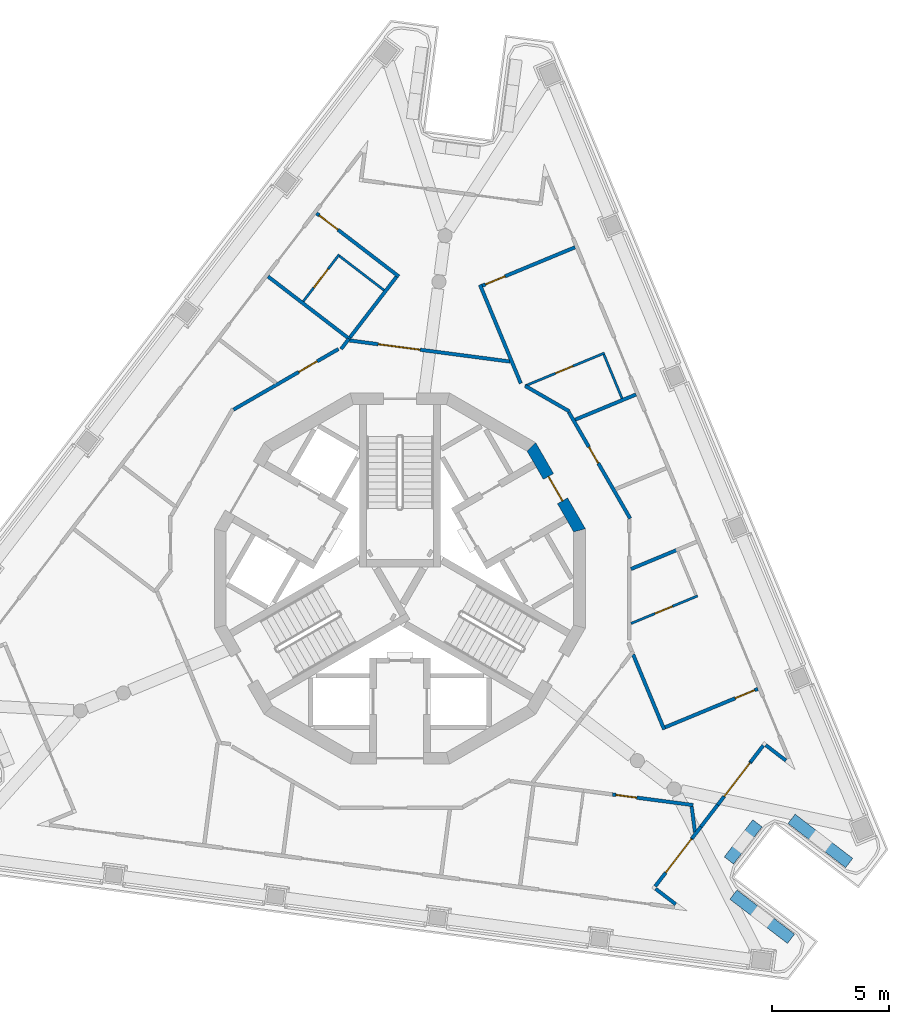
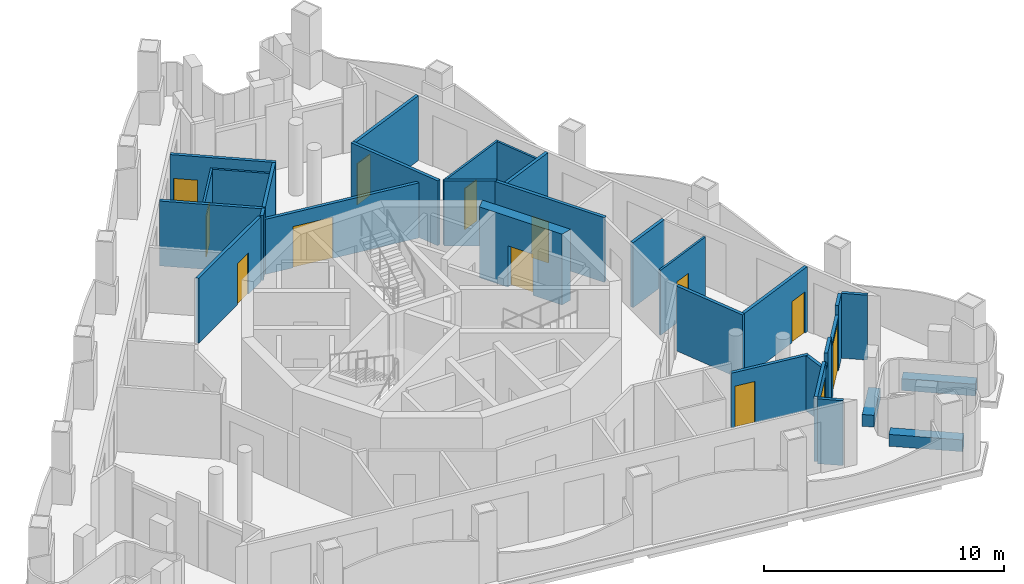
# One storey, part 5 of 12: 32 walls, 13 doors, 13 openings.
"""IFC4 building model written with IfcOpenShell, lengths in metres."""

import ifcopenshell
import ifcopenshell.guid

model = None  # the IFC model being written
_history = None  # IfcOwnerHistory: only IFC2X3 demands one
_inside = {}  # id of a spatial element -> (the spatial element, [elements in it])
_under = {}  # id of a project, library or spatial element -> (it, [spatial elements below it])
_declared = {}  # id of a project -> (the project, [libraries it declares])
_typed = {}  # id of a type object -> (the type object, [elements of that type])
_made_of = {}  # id of a material, layer set ... -> (it, [elements and type objects made of it])


def new_model(schema):
    """Start an empty IFC model of exactly this schema.

    Asked for "IFC4X3", IfcOpenShell would pick the latest addendum, in which some entities
    have other attributes; the version numbers below select the first issue.
    IFC2X3 requires an IfcOwnerHistory on every rooted entity: one is made here for all.
    """
    global model, _history
    if schema == "IFC4X3":
        model = ifcopenshell.file(schema_version=(4, 3, 0, 0))
    else:
        model = ifcopenshell.file(schema=schema)
    _inside.clear()
    _under.clear()
    _declared.clear()
    _typed.clear()
    _made_of.clear()
    _history = None
    if model.schema == "IFC2X3":
        org = make("IfcOrganization", Name="unknown")
        user = make(
            "IfcPersonAndOrganization",
            ThePerson=make("IfcPerson", FamilyName="unknown"),
            TheOrganization=org,
        )
        app = make(
            "IfcApplication",
            ApplicationDeveloper=org,
            Version="unknown",
            ApplicationFullName="unknown",
            ApplicationIdentifier="unknown",
        )
        _history = make(
            "IfcOwnerHistory",
            OwningUser=user,
            OwningApplication=app,
            ChangeAction="ADDED",
            CreationDate=0,
        )
    return model


def make(cls, **values):
    """One entity of the class cls with the attributes given. An attribute that is None is left unset."""
    return model.create_entity(
        cls, **{name: value for name, value in values.items() if value is not None}
    )


def rooted(cls, **values):
    """An entity with a GlobalId (a new one), such as an element, a storey or a relation."""
    return make(cls, GlobalId=ifcopenshell.guid.new(), OwnerHistory=_history, **values)


def si_unit(unit_type, name, prefix=None):
    """IfcSIUnit, for example si_unit("LENGTHUNIT", "METRE", prefix="MILLI")."""
    return make("IfcSIUnit", UnitType=unit_type, Prefix=prefix, Name=name)


def assignment(units):
    """IfcUnitAssignment: the units of a project."""
    return None if units is None else make("IfcUnitAssignment", Units=units)


def point(xyz):
    """IfcCartesianPoint."""
    return None if xyz is None else make("IfcCartesianPoint", Coordinates=xyz)


def direction(xyz):
    """IfcDirection."""
    return None if xyz is None else make("IfcDirection", DirectionRatios=xyz)


def frame(location, z_axis=None, x_axis=None):
    """IfcAxis2Placement3D, a coordinate frame: its origin and axes. An axis left out is left unset."""
    return make(
        "IfcAxis2Placement3D",
        Location=point(location),
        Axis=direction(z_axis),
        RefDirection=direction(x_axis),
    )


def frame_2d(location, x_axis=None):
    """IfcAxis2Placement2D, a coordinate frame in the plane: its origin and x axis."""
    return make(
        "IfcAxis2Placement2D", Location=point(location), RefDirection=direction(x_axis)
    )


def origin():
    """The frame at (0, 0, 0) with its axes left unset."""
    return frame((0.0, 0.0, 0.0))


def place(relative_to, where):
    """IfcLocalPlacement: puts the frame where relative to a parent placement (None: the world)."""
    return make(
        "IfcLocalPlacement", PlacementRelTo=relative_to, RelativePlacement=where
    )


def context(
    kind, dimensions, precision=None, world=None, true_north=None, identifier=None
):
    """IfcGeometricRepresentationContext, for example the 3D "Model" context."""
    return make(
        "IfcGeometricRepresentationContext",
        ContextIdentifier=identifier,
        ContextType=kind,
        CoordinateSpaceDimension=dimensions,
        Precision=precision,
        WorldCoordinateSystem=world,
        TrueNorth=true_north,
    )


def subcontext(parent, identifier, kind, view, scale=None):
    """IfcGeometricRepresentationSubContext, for example "Body" below "Model"."""
    return make(
        "IfcGeometricRepresentationSubContext",
        ContextIdentifier=identifier,
        ContextType=kind,
        ParentContext=parent,
        TargetScale=scale,
        TargetView=view,
    )


def project(units=None, contexts=None):
    """IfcProject with its units and contexts."""
    return rooted(
        "IfcProject",
        Name="project",
        RepresentationContexts=contexts,
        UnitsInContext=assignment(units),
    )


def spatial(cls, under=None, at=None, **own):
    """A site, building, storey or space (cls), placed at a placement, below another one or the project."""
    s = rooted(cls, ObjectPlacement=at, **own)
    if under is not None:
        _under.setdefault(under.id(), (under, []))[1].append(s)
    return s


def polyline(points):
    """IfcPolyline through the points."""
    return make("IfcPolyline", Points=[point(p) for p in points])


def profile(cls, at=None, kind="AREA", **sizes):
    """A parametric profile (cls). Its sizes go by their IFC names, for example OverallWidth=200.0."""
    return make(cls, ProfileType=kind, Position=at, **sizes)


def rectangle(**sizes):
    """IfcRectangleProfileDef."""
    return profile("IfcRectangleProfileDef", **sizes)


def outline(outer, holes=None, kind="AREA"):
    """IfcArbitraryClosedProfileDef: a profile drawn as a closed curve; with holes, ...WithVoids."""
    if holes is None:
        return make("IfcArbitraryClosedProfileDef", ProfileType=kind, OuterCurve=outer)
    return make(
        "IfcArbitraryProfileDefWithVoids",
        ProfileType=kind,
        OuterCurve=outer,
        InnerCurves=holes,
    )


def extrude(swept, where, along, depth):
    """IfcExtrudedAreaSolid: the profile swept, set in the frame where, extruded along a direction by depth."""
    return make(
        "IfcExtrudedAreaSolid",
        SweptArea=swept,
        Position=where,
        ExtrudedDirection=direction(along),
        Depth=depth,
    )


def shape(context_of_items, identifier, shape_type, items):
    """IfcShapeRepresentation: the items that make up one representation, for example the "Body"."""
    return make(
        "IfcShapeRepresentation",
        ContextOfItems=context_of_items,
        RepresentationIdentifier=identifier,
        RepresentationType=shape_type,
        Items=items,
    )


def material(Name=None, Category=None):
    """IfcMaterial."""
    return make("IfcMaterial", Name=Name, Category=Category)


def layer(
    of_material, thickness, ventilated=None, Name=None, Category=None, Priority=None
):
    """IfcMaterialLayer: one layer of a wall or slab, of a material (None: an air gap)."""
    return make(
        "IfcMaterialLayer",
        Material=of_material,
        LayerThickness=thickness,
        IsVentilated=ventilated,
        Name=Name,
        Category=Category,
        Priority=Priority,
    )


def layer_set(layers, Name=None):
    """IfcMaterialLayerSet."""
    return make("IfcMaterialLayerSet", MaterialLayers=layers, LayerSetName=Name)


def made_of(thing, what):
    """Note that an element or type object is made of a material, layer set ...; save() writes the relation."""
    if what is not None:
        _made_of.setdefault(what.id(), (what, []))[1].append(thing)
    return thing


def type_object(cls, material=None, **own):
    """A type object (cls), such as IfcWallType, which elements share."""
    return made_of(rooted(cls, **own), material)


def element(
    cls,
    number,
    at=None,
    inside=None,
    cuts=None,
    type_object=None,
    material=None,
    context=None,
    identifier="Body",
    shape_type=None,
    held_by="IfcProductDefinitionShape",
    body=None,
    shapes=None,
    **own,
):
    """One element of the class cls, such as IfcWall. Its Tag is "e" and its number.

    at: its placement. inside: the storey or other place that contains it. cuts: it is an
    opening in that element (IfcRelVoidsElement). A single representation is given by context,
    identifier, shape_type and body (its items); several are given by shapes. held_by: the class
    of the entity that holds the representations. save() writes the other relations.
    """
    e = rooted(cls, Tag="e%d" % number, ObjectPlacement=at, **own)
    if body is not None:
        shapes = [shape(context, identifier, shape_type, body)]
    if shapes is not None:
        e.Representation = make(held_by, Representations=shapes)
    if inside is not None:
        _inside.setdefault(inside.id(), (inside, []))[1].append(e)
    if cuts is not None:
        rooted(
            "IfcRelVoidsElement", RelatingBuildingElement=cuts, RelatedOpeningElement=e
        )
    if type_object is not None:
        _typed.setdefault(type_object.id(), (type_object, []))[1].append(e)
    return made_of(e, material)


def fill(opening, filler):
    """IfcRelFillsElement: the door or window that sits in an opening."""
    return rooted(
        "IfcRelFillsElement",
        RelatingOpeningElement=opening,
        RelatedBuildingElement=filler,
    )


def aggregate(whole, parts):
    """IfcRelAggregates: a whole, such as a stair, and the parts it consists of."""
    return rooted("IfcRelAggregates", RelatingObject=whole, RelatedObjects=parts)


def save(model, path):
    """Write the relations noted so far, then the file.

    IfcRelAggregates (storeys below a building ...), IfcRelContainedInSpatialStructure (elements
    in a storey), IfcRelDefinesByType, IfcRelAssociatesMaterial and IfcRelDeclares: one each for
    every whole, place, type object, material and project.
    """
    for whole, parts in _under.values():
        aggregate(whole, parts)
    for where, things in _inside.values():
        rooted(
            "IfcRelContainedInSpatialStructure",
            RelatedElements=things,
            RelatingStructure=where,
        )
    for kind, things in _typed.values():
        rooted("IfcRelDefinesByType", RelatedObjects=things, RelatingType=kind)
    for what, things in _made_of.values():
        rooted("IfcRelAssociatesMaterial", RelatedObjects=things, RelatingMaterial=what)
    for by, libraries in _declared.values():
        rooted("IfcRelDeclares", RelatingContext=by, RelatedDefinitions=libraries)
    model.write(path)


model = new_model("IFC4")

# Units and contexts
model_context = context("Model", 3, precision=1e-05, world=origin(), true_north=direction((0.0, 1.0)))
body_context = subcontext(model_context, "Body", "Model", "MODEL_VIEW")
ifc_project = project(units=[si_unit("LENGTHUNIT", "METRE"), si_unit("AREAUNIT", "SQUARE_METRE"), si_unit("VOLUMEUNIT", "CUBIC_METRE"), si_unit("PLANEANGLEUNIT", "RADIAN"), si_unit("MASSUNIT", "GRAM", prefix="KILO")], contexts=[model_context])

# Site, building, storey
site_placement = place(None, origin())
site = spatial("IfcSite", under=ifc_project, at=site_placement, CompositionType="ELEMENT")
building_placement = place(site_placement, origin())
building = spatial("IfcBuilding", under=site, at=building_placement, Name="Trine Commons Tower", CompositionType="ELEMENT")
storey_placement = place(building_placement, frame((0.0, 0.0, 282.60009765625)))
storey = spatial("IfcBuildingStorey", under=building, at=storey_placement, Name="L74", CompositionType="ELEMENT", Elevation=282.60009765625)

# Walls
ifc_material_1 = material(Name="Aluminium-framed insulated wall panel", Category="aluminium")
ifc_layer_1 = layer(ifc_material_1, 0.14990234375)
ifc_layer_set_1 = layer_set([ifc_layer_1], Name="Aluminium-framed insulated wall panel")
wall_type_1 = type_object("IfcWallType", Name="Glazed frame wall 150, EI 60", PredefinedType="SOLIDWALL", material=ifc_layer_set_1)
wall_1_placement = place(storey_placement, frame((96.600830078125, 54.633544921875, 0.0), z_axis=(0.0, 0.0, 1.0), x_axis=(-0.793352136239, 0.608762998157, 0.0)))
element("IfcWall", 1, at=wall_1_placement, inside=storey, type_object=wall_type_1, Name="Glazed frame wall R6", PredefinedType="SOLIDWALL", context=body_context, shape_type="SweptSolid", body=[
    extrude(outline(polyline([(0.1494140625, 0.074951171875), (0.1494140625, -0.074951171875), (1.235107421875, -0.074951171875), (1.235107421875, 0.074951171875), (0.1494140625, 0.074951171875)])), origin(), (0.0, 0.0, 1.0), 3.2998046875),
])
wall_2_placement = place(storey_placement, frame((95.582763671875, 55.458740234375, 0.0), z_axis=(0.0, 0.0, 1.0), x_axis=(-0.60863653794, -0.793449156962, 0.0)))
element("IfcWall", 2, at=wall_2_placement, inside=storey, type_object=wall_type_1, Name="Glazed frame wall P2.1", PredefinedType="SOLIDWALL", context=body_context, shape_type="SweptSolid", body=[
    extrude(outline(polyline([(0.110107421875, -0.074951171875), (1.0, -0.074951171875), (1.0, 0.074951171875), (0.110107421875, 0.074951171875), (0.110107421875, -0.074951171875)])), origin(), (0.0, 0.0, 1.0), 3.2998046875),
])

# Wall, opening, door
wall_3_placement = place(storey_placement, frame((94.97412109375, 54.665283203125, 0.0), z_axis=(0.0, 0.0, 1.0), x_axis=(-0.608821878019, -0.793306952475, 0.0)))
wall_3 = element("IfcWall", 3, at=wall_3_placement, inside=storey, type_object=wall_type_1, Name="Glazed frame wall P2.2", PredefinedType="SOLIDWALL", context=body_context, shape_type="SweptSolid", body=[
    extrude(outline(polyline([(0.0, -0.074951171875), (2.310791015625, -0.074951171875), (2.310791015625, 0.074951171875), (0.0, 0.074951171875), (0.0, -0.074951171875)])), origin(), (0.0, 0.0, 1.0), 2.7998046875),
])
opening_1_placement = place(wall_3_placement, frame((0.050048828125, 0.0, 0.0)))
opening_1 = element("IfcOpeningElement", 4, at=opening_1_placement, cuts=wall_3, Name="Opening BD-8P2-01", PredefinedType="OPENING", context=body_context, shape_type="SweptSolid", body=[
    extrude(rectangle(XDim=1.800048828125, YDim=2.60009765625, at=frame_2d((0.89990234375, 1.300048828125))), frame((0.0, 0.0849609375, 0.0), z_axis=(0.0, -1.0, 0.0), x_axis=(1.0, 0.0, 0.0)), (0.0, 0.0, 1.0), 0.169921875),
])
ifc_material_2 = material(Name="Anodised aluminium frame with double glazing", Category="aluminium")
door_type_1 = type_object("IfcDoorType", Name="Sliding loggia door 1800x2600", OperationType="SLIDING_TO_LEFT", PredefinedType="DOOR", material=ifc_material_2)
door_1_placement = place(opening_1_placement, origin())
door_1 = element("IfcDoor", 5, at=door_1_placement, inside=storey, type_object=door_type_1, Name="Loggia door P2 1", OperationType="SLIDING_TO_LEFT", OverallHeight=2.60009765625, OverallWidth=1.800048828125, PredefinedType="DOOR", context=body_context, shape_type="SweptSolid", body=[
    extrude(rectangle(XDim=1.800048828125, YDim=2.60009765625, at=frame_2d((0.89990234375, 1.300048828125))), frame((0.0, 0.02490234375, 0.0), z_axis=(0.0, -1.0, 0.0), x_axis=(1.0, 0.0, 0.0)), (0.0, 0.0, 1.0), 0.050048828125),
])
fill(opening_1, door_1)

# Walls
wall_4_placement = place(storey_placement, frame((93.5673828125, 52.832275390625, 0.0), z_axis=(0.0, 0.0, 1.0), x_axis=(-0.608779373124, -0.793339570965, 0.0)))
element("IfcWall", 6, at=wall_4_placement, inside=storey, type_object=wall_type_1, Name="Glazed frame wall P2.3", PredefinedType="SOLIDWALL", context=body_context, shape_type="SweptSolid", body=[
    extrude(outline(polyline([(0.0, -0.074951171875), (1.1787109375, -0.074951171875), (1.1787109375, 0.074951171875), (0.0, 0.074951171875), (0.0, -0.074951171875)])), origin(), (0.0, 0.0, 1.0), 3.2998046875),
])
wall_5_placement = place(storey_placement, frame((92.849853515625, 51.897216796875, 0.0), z_axis=(0.0, 0.0, 1.0), x_axis=(-0.608636160299, -0.793449446642, 0.0)))
element("IfcWall", 7, at=wall_5_placement, inside=storey, type_object=wall_type_1, Name="Glazed frame wall P2.4", PredefinedType="SOLIDWALL", context=body_context, shape_type="SweptSolid", body=[
    extrude(outline(polyline([(0.0, -0.074951171875), (0.6259765625, -0.074951171875), (0.6259765625, 0.074951171875), (0.0, 0.074951171875), (0.0, -0.074951171875)])), origin(), (0.0, 0.0, 1.0), 2.7998046875),
])

# Wall, opening, door
wall_6_placement = place(storey_placement, frame((92.46875, 51.400390625, 0.0), z_axis=(0.0, 0.0, 1.0), x_axis=(-0.608752233998, -0.793360395787, 0.0)))
wall_6 = element("IfcWall", 8, at=wall_6_placement, inside=storey, type_object=wall_type_1, Name="Glazed frame wall P2.5", PredefinedType="SOLIDWALL", context=body_context, shape_type="SweptSolid", body=[
    extrude(outline(polyline([(2.57470703125, 0.074951171875), (0.0, 0.074951171875), (0.0, -0.074951171875), (2.57470703125, -0.074951171875), (2.57470703125, 0.074951171875)])), origin(), (0.0, 0.0, 1.0), 3.2998046875),
])
opening_2_placement = place(wall_6_placement, frame((0.03466796875, 0.0, 0.0)))
opening_2 = element("IfcOpeningElement", 9, at=opening_2_placement, cuts=wall_6, Name="Opening BD-8P2-02", PredefinedType="OPENING", context=body_context, shape_type="SweptSolid", body=[
    extrude(rectangle(XDim=1.800048828125, YDim=2.60009765625, at=frame_2d((0.89990234375, 1.300048828125))), frame((0.0, 0.0849609375, 0.0), z_axis=(0.0, -1.0, 0.0), x_axis=(1.0, 0.0, 0.0)), (0.0, 0.0, 1.0), 0.169921875),
])
door_2_placement = place(opening_2_placement, origin())
door_2 = element("IfcDoor", 10, at=door_2_placement, inside=storey, type_object=door_type_1, Name="Loggia door P2 2", OperationType="SLIDING_TO_LEFT", OverallHeight=2.60009765625, OverallWidth=1.800048828125, PredefinedType="DOOR", context=body_context, shape_type="SweptSolid", body=[
    extrude(rectangle(XDim=1.800048828125, YDim=2.60009765625, at=frame_2d((0.89990234375, 1.300048828125))), frame((0.0, 0.02490234375, 0.0), z_axis=(0.0, -1.0, 0.0), x_axis=(1.0, 0.0, 0.0)), (0.0, 0.0, 1.0), 0.050048828125),
])
fill(opening_2, door_2)

# Walls
wall_7_placement = place(storey_placement, frame((90.827880859375, 49.319580078125, 0.0), z_axis=(0.0, 0.0, 1.0), x_axis=(0.793439797287, -0.608648739488, 0.0)))
element("IfcWall", 11, at=wall_7_placement, inside=storey, type_object=wall_type_1, Name="Glazed frame wall R8", PredefinedType="SOLIDWALL", context=body_context, shape_type="SweptSolid", body=[
    extrude(outline(polyline([(0.110107421875, 0.074951171875), (0.110107421875, -0.074951171875), (1.19580078125, -0.074951171875), (1.19580078125, 0.074951171875), (0.110107421875, 0.074951171875)])), origin(), (0.0, 0.0, 1.0), 3.2998046875),
])
ifc_material_3 = material(Name="Planter trough, precast concrete C40/50", Category="concrete")
ifc_layer_2 = layer(ifc_material_3, 0.5)
ifc_layer_set_2 = layer_set([ifc_layer_2], Name="Planter trough, precast concrete C40/50")
wall_type_2 = type_object("IfcWallType", Name="Planter trough 500x600", PredefinedType="PARAPET", material=ifc_layer_set_2)
wall_8_placement = place(storey_placement, frame((99.182861328125, 50.351806640625, 0.0), z_axis=(0.0, 0.0, 1.0), x_axis=(-0.793355321014, 0.608758847671, 0.0)))
element("IfcWall", 12, at=wall_8_placement, inside=storey, type_object=wall_type_2, Name="Planter 7", PredefinedType="PARAPET", context=body_context, shape_type="SweptSolid", body=[
    extrude(rectangle(XDim=3.10009765625, YDim=0.5, at=frame_2d((1.550048828125, 0.0))), origin(), (0.0, 0.0, 1.0), 0.599853515625),
])
wall_9_placement = place(storey_placement, frame((95.265380859375, 52.047119140625, 0.0), z_axis=(0.0, 0.0, 1.0), x_axis=(-0.608790203715, -0.793331259853, 0.0)))
element("IfcWall", 13, at=wall_9_placement, inside=storey, type_object=wall_type_2, Name="Planter 8", PredefinedType="PARAPET", context=body_context, shape_type="SweptSolid", body=[
    extrude(rectangle(XDim=2.000244140625, YDim=0.5, at=frame_2d((1.0, 0.0))), origin(), (0.0, 0.0, 1.0), 0.599853515625),
])
wall_10_placement = place(storey_placement, frame((94.23974609375, 49.002197265625, 0.0), z_axis=(0.0, 0.0, 1.0), x_axis=(0.793355321014, -0.608758847671, 0.0)))
element("IfcWall", 14, at=wall_10_placement, inside=storey, type_object=wall_type_2, Name="Planter 9", PredefinedType="PARAPET", context=body_context, shape_type="SweptSolid", body=[
    extrude(rectangle(XDim=3.10009765625, YDim=0.5, at=frame_2d((1.550048828125, 0.0))), origin(), (0.0, 0.0, 1.0), 0.599853515625),
])

# Wall, opening, door
ifc_material_4 = material(Name="Concrete C50/60", Category="concrete")
ifc_layer_3 = layer(ifc_material_4, 0.5)
ifc_layer_set_3 = layer_set([ifc_layer_3], Name="Concrete C50/60")
wall_type_3 = type_object("IfcWallType", Name="RC shear wall 500 mm, C50/60", PredefinedType="SHEAR", material=ifc_layer_set_3)
wall_11_placement = place(storey_placement, frame((87.7041015625, 64.497314453125, 0.0), z_axis=(0.0, 0.0, 1.0), x_axis=(-0.499992968425, 0.866029463428, 0.0)))
wall_11 = element("IfcWall", 15, at=wall_11_placement, inside=storey, type_object=wall_type_3, Name="Core wall CWH-02 L74", PredefinedType="SHEAR", context=body_context, shape_type="SweptSolid", body=[
    extrude(outline(polyline([(0.0, -0.25), (4.24462890625, -0.25), (4.110595703125, 0.25), (0.134033203125, 0.25), (0.0, -0.25)])), origin(), (0.0, 0.0, 1.0), 3.599853515625),
])
opening_3_placement = place(wall_11_placement, frame((1.5224609375, 0.0, 0.0)))
opening_3 = element("IfcOpeningElement", 16, at=opening_3_placement, cuts=wall_11, Name="Opening K18.04", PredefinedType="OPENING", context=body_context, shape_type="SweptSolid", body=[
    extrude(rectangle(XDim=1.199951171875, YDim=2.10009765625, at=frame_2d((0.60009765625, 1.050048828125))), frame((0.0, 0.260009765625, 0.0), z_axis=(0.0, -1.0, 0.0), x_axis=(1.0, 0.0, 0.0)), (0.0, 0.0, 1.0), 0.52001953125),
])
ifc_material_5 = material(Name="Steel door leaves, fire-rated", Category="steel")
door_type_2 = type_object("IfcDoorType", Name="Lobby door, double leaf 1200 x 2100, FD60", OperationType="DOUBLE_DOOR_SINGLE_SWING", PredefinedType="DOOR", material=ifc_material_5)
door_3_placement = place(opening_3_placement, origin())
door_3 = element("IfcDoor", 17, at=door_3_placement, inside=storey, type_object=door_type_2, Name="Lobby door, Core lounge L74", OperationType="DOUBLE_DOOR_SINGLE_SWING", OverallHeight=2.10009765625, OverallWidth=1.199951171875, PredefinedType="DOOR", context=body_context, shape_type="SweptSolid", body=[
    extrude(rectangle(XDim=1.199951171875, YDim=2.10009765625, at=frame_2d((0.60009765625, 1.050048828125))), frame((0.0, 0.02490234375, 0.0), z_axis=(0.0, -1.0, 0.0), x_axis=(1.0, 0.0, 0.0)), (0.0, 0.0, 1.0), 0.050048828125),
])
fill(opening_3, door_3)

ifc_material_6 = material(Name="Gypsum plasterboard on steel stud", Category="steel")
ifc_layer_4 = layer(ifc_material_6, 0.14990234375)
ifc_layer_set_4 = layer_set([ifc_layer_4], Name="Gypsum plasterboard on steel stud")
wall_type_4 = type_object("IfcWallType", Name="Unit and corridor wall 150 mm, EI 60", PredefinedType="PARTITIONING", material=ifc_layer_set_4)
wall_12_placement = place(storey_placement, frame((72.893798828125, 69.70849609375, 0.0), z_axis=(0.0, 0.0, 1.0), x_axis=(0.866010370781, 0.500026037022, 0.0)))
wall_12 = element("IfcWall", 18, at=wall_12_placement, inside=storey, type_object=wall_type_4, Name="Partition 014", PredefinedType="PARTITIONING", context=body_context, shape_type="SweptSolid", body=[
    extrude(rectangle(XDim=5.174560546875, YDim=0.14990234375, at=frame_2d((2.58740234375, 0.0))), origin(), (0.0, 0.0, 1.0), 3.2998046875),
])
opening_4_placement = place(wall_12_placement, frame((3.223876953125, 0.0, 0.0)))
opening_4 = element("IfcOpeningElement", 19, at=opening_4_placement, cuts=wall_12, Name="Opening D-8B06", PredefinedType="OPENING", context=body_context, shape_type="SweptSolid", body=[
    extrude(rectangle(XDim=0.89990234375, YDim=2.10009765625, at=frame_2d((0.449951171875, 1.050048828125))), frame((0.0, 0.0849609375, 0.0), z_axis=(0.0, -1.0, 0.0), x_axis=(1.0, 0.0, 0.0)), (0.0, 0.0, 1.0), 0.169921875),
])
ifc_material_7 = material(Name="Timber fire door set", Category="wood")
door_type_3 = type_object("IfcDoorType", Name="Service door 900 x 2100, FD30S", OperationType="NOTDEFINED", PredefinedType="DOOR", material=ifc_material_7)
door_4_placement = place(opening_4_placement, origin())
door_4 = element("IfcDoor", 20, at=door_4_placement, inside=storey, type_object=door_type_3, Name="Door D-8B06", OperationType="SINGLE_SWING_RIGHT", OverallHeight=2.10009765625, OverallWidth=0.89990234375, PredefinedType="DOOR", context=body_context, shape_type="SweptSolid", body=[
    extrude(rectangle(XDim=0.89990234375, YDim=2.10009765625, at=frame_2d((0.449951171875, 1.050048828125))), frame((0.0, 0.02490234375, 0.0), z_axis=(0.0, -1.0, 0.0), x_axis=(1.0, 0.0, 0.0)), (0.0, 0.0, 1.0), 0.050048828125),
])
fill(opening_4, door_4)

# Wall
wall_13_placement = place(storey_placement, frame((74.36865234375, 75.39453125, 0.0), z_axis=(0.0, 0.0, 1.0), x_axis=(0.793339619552, -0.608779309807, 0.0)))
element("IfcWall", 21, at=wall_13_placement, inside=storey, type_object=wall_type_4, Name="Partition 015", PredefinedType="PARTITIONING", context=body_context, shape_type="SweptSolid", body=[
    extrude(rectangle(XDim=4.435546875, YDim=0.14990234375, at=frame_2d((2.2177734375, 0.0))), origin(), (0.0, 0.0, 1.0), 3.2998046875),
])

# Wall, opening, door
wall_14_placement = place(storey_placement, frame((76.438720703125, 78.092529296875, 0.0), z_axis=(0.0, 0.0, 1.0), x_axis=(0.793339619552, -0.608779309807, 0.0)))
wall_14 = element("IfcWall", 22, at=wall_14_placement, inside=storey, type_object=wall_type_4, Name="Partition 018", PredefinedType="PARTITIONING", context=body_context, shape_type="SweptSolid", body=[
    extrude(rectangle(XDim=4.435546875, YDim=0.14990234375, at=frame_2d((2.2177734375, 0.0))), origin(), (0.0, 0.0, 1.0), 3.2998046875),
])
opening_5_placement = place(wall_14_placement, frame((0.14990234375, 0.0, 0.0)))
opening_5 = element("IfcOpeningElement", 23, at=opening_5_placement, cuts=wall_14, Name="Opening D-8B07", PredefinedType="OPENING", context=body_context, shape_type="SweptSolid", body=[
    extrude(rectangle(XDim=1.0, YDim=2.10009765625, at=frame_2d((0.5, 1.050048828125))), frame((0.0, 0.0849609375, 0.0), z_axis=(0.0, -1.0, 0.0), x_axis=(1.0, 0.0, 0.0)), (0.0, 0.0, 1.0), 0.169921875),
])
door_type_4 = type_object("IfcDoorType", Name="Bedroom door 1000 x 2100, FD30S", OperationType="NOTDEFINED", PredefinedType="DOOR", material=ifc_material_7)
door_5_placement = place(opening_5_placement, frame((1.0, 0.0, 0.0), z_axis=(0.0, 0.0, 1.0), x_axis=(-1.0, 0.0, 0.0)))
door_5 = element("IfcDoor", 24, at=door_5_placement, inside=storey, type_object=door_type_4, Name="Door D-8B07", OperationType="SINGLE_SWING_RIGHT", OverallHeight=2.10009765625, OverallWidth=1.0, PredefinedType="DOOR", context=body_context, shape_type="SweptSolid", body=[
    extrude(rectangle(XDim=1.0, YDim=2.10009765625, at=frame_2d((0.5, 1.050048828125))), frame((0.0, 0.02490234375, 0.0), z_axis=(0.0, -1.0, 0.0), x_axis=(1.0, 0.0, 0.0)), (0.0, 0.0, 1.0), 0.050048828125),
])
fill(opening_5, door_5)

# Wall
wall_15_placement = place(storey_placement, frame((77.487060546875, 72.2958984375, 0.0), z_axis=(0.0, 0.0, 1.0), x_axis=(0.608207837142, 0.793777819569, 0.0)))
element("IfcWall", 25, at=wall_15_placement, inside=storey, type_object=wall_type_4, Name="Partition 021", PredefinedType="PARTITIONING", context=body_context, shape_type="SweptSolid", body=[
    extrude(rectangle(XDim=0.550048828125, YDim=0.14990234375, at=frame_2d((0.27490234375, 0.0))), origin(), (0.0, 0.0, 1.0), 3.2998046875),
])

# Wall, opening, door
wall_16_placement = place(storey_placement, frame((77.850341796875, 72.6630859375, 0.0), z_axis=(0.0, 0.0, 1.0), x_axis=(0.991450329661, -0.130484649732, 0.0)))
wall_16 = element("IfcWall", 26, at=wall_16_placement, inside=storey, type_object=wall_type_4, Name="Partition 022", PredefinedType="PARTITIONING", context=body_context, shape_type="SweptSolid", body=[
    extrude(rectangle(XDim=6.915283203125, YDim=0.14990234375, at=frame_2d((3.45751953125, 0.0))), origin(), (0.0, 0.0, 1.0), 2.7998046875),
])
opening_6_placement = place(wall_16_placement, frame((1.236572265625, 0.0, 0.0)))
opening_6 = element("IfcOpeningElement", 27, at=opening_6_placement, cuts=wall_16, Name="Opening D-8B01", PredefinedType="OPENING", context=body_context, shape_type="SweptSolid", body=[
    extrude(rectangle(XDim=1.800048828125, YDim=2.10009765625, at=frame_2d((0.89990234375, 1.050048828125))), frame((0.0, 0.0849609375, 0.0), z_axis=(0.0, -1.0, 0.0), x_axis=(1.0, 0.0, 0.0)), (0.0, 0.0, 1.0), 0.169921875),
])
door_type_5 = type_object("IfcDoorType", Name="Cluster entrance door 1800 x 2100, double leaf, FD30S", OperationType="DOUBLE_DOOR_DOUBLE_SWING", PredefinedType="DOOR", material=ifc_material_7)
door_6_placement = place(opening_6_placement, origin())
door_6 = element("IfcDoor", 28, at=door_6_placement, inside=storey, type_object=door_type_5, Name="Door D-8B01", OperationType="DOUBLE_DOOR_DOUBLE_SWING", OverallHeight=2.10009765625, OverallWidth=1.800048828125, PredefinedType="DOOR", context=body_context, shape_type="SweptSolid", body=[
    extrude(rectangle(XDim=1.800048828125, YDim=2.10009765625, at=frame_2d((0.89990234375, 1.050048828125))), frame((0.0, 0.02490234375, 0.0), z_axis=(0.0, -1.0, 0.0), x_axis=(1.0, 0.0, 0.0)), (0.0, 0.0, 1.0), 0.050048828125),
])
fill(opening_6, door_6)

# Walls
wall_17_placement = place(storey_placement, frame((77.873779296875, 72.799560546875, 0.0), z_axis=(0.0, 0.0, 1.0), x_axis=(0.608701151958, 0.793399588861, 0.0)))
element("IfcWall", 29, at=wall_17_placement, inside=storey, type_object=wall_type_4, Name="Partition 023", PredefinedType="PARTITIONING", context=body_context, shape_type="SweptSolid", body=[
    extrude(rectangle(XDim=3.25048828125, YDim=0.14990234375, at=frame_2d((1.625244140625, 0.0))), origin(), (0.0, 0.0, 1.0), 3.2998046875),
])
wall_18_placement = place(storey_placement, frame((83.418212890625, 75.040283203125, 0.0), z_axis=(0.0, 0.0, 1.0), x_axis=(0.382754048206, -0.923850279311, 0.0)))
element("IfcWall", 30, at=wall_18_placement, inside=storey, type_object=wall_type_4, Name="Partition 026", PredefinedType="PARTITIONING", context=body_context, shape_type="SweptSolid", body=[
    extrude(rectangle(XDim=4.55615234375, YDim=0.14990234375, at=frame_2d((2.278076171875, 0.0))), origin(), (0.0, 0.0, 1.0), 3.2998046875),
])

# Wall, opening, door
wall_19_placement = place(storey_placement, frame((83.516357421875, 74.999755859375, 0.0), z_axis=(0.0, 0.0, 1.0), x_axis=(0.923868914467, 0.382709065586, 0.0)))
wall_19 = element("IfcWall", 31, at=wall_19_placement, inside=storey, type_object=wall_type_4, Name="Partition 027", PredefinedType="PARTITIONING", context=body_context, shape_type="SweptSolid", body=[
    extrude(rectangle(XDim=4.284912109375, YDim=0.14990234375, at=frame_2d((2.142578125, 0.0))), origin(), (0.0, 0.0, 1.0), 3.2998046875),
])
opening_7_placement = place(wall_19_placement, frame((0.14990234375, 0.0, 0.0)))
opening_7 = element("IfcOpeningElement", 32, at=opening_7_placement, cuts=wall_19, Name="Opening D-8B08", PredefinedType="OPENING", context=body_context, shape_type="SweptSolid", body=[
    extrude(rectangle(XDim=0.89990234375, YDim=2.10009765625, at=frame_2d((0.449951171875, 1.050048828125))), frame((0.0, 0.0849609375, 0.0), z_axis=(0.0, -1.0, 0.0), x_axis=(1.0, 0.0, 0.0)), (0.0, 0.0, 1.0), 0.169921875),
])
door_type_6 = type_object("IfcDoorType", Name="Bedroom door 900 x 2100, FD30S", OperationType="NOTDEFINED", PredefinedType="DOOR", material=ifc_material_7)
door_7_placement = place(opening_7_placement, frame((0.89990234375, 0.0, 0.0), z_axis=(0.0, 0.0, 1.0), x_axis=(-1.0, 0.0, 0.0)))
door_7 = element("IfcDoor", 33, at=door_7_placement, inside=storey, type_object=door_type_6, Name="Door D-8B08", OperationType="SINGLE_SWING_RIGHT", OverallHeight=2.10009765625, OverallWidth=0.89990234375, PredefinedType="DOOR", context=body_context, shape_type="SweptSolid", body=[
    extrude(rectangle(XDim=0.89990234375, YDim=2.10009765625, at=frame_2d((0.449951171875, 1.050048828125))), frame((0.0, 0.02490234375, 0.0), z_axis=(0.0, -1.0, 0.0), x_axis=(1.0, 0.0, 0.0)), (0.0, 0.0, 1.0), 0.050048828125),
])
fill(opening_7, door_7)

# Wall
wall_20_placement = place(storey_placement, frame((85.344970703125, 70.72509765625, 0.0), z_axis=(0.0, 0.0, 1.0), x_axis=(0.866081326898, -0.499903125815, 0.0)))
element("IfcWall", 34, at=wall_20_placement, inside=storey, type_object=wall_type_4, Name="Partition 030", PredefinedType="PARTITIONING", context=body_context, shape_type="SweptSolid", body=[
    extrude(rectangle(XDim=2.18359375, YDim=0.14990234375, at=frame_2d((1.091796875, 0.0))), origin(), (0.0, 0.0, 1.0), 3.2998046875),
])

# Wall, opening, door
wall_21_placement = place(storey_placement, frame((87.20849609375, 69.606201171875, 0.0), z_axis=(0.0, 0.0, 1.0), x_axis=(0.500040482552, -0.866002029911, 0.0)))
wall_21 = element("IfcWall", 35, at=wall_21_placement, inside=storey, type_object=wall_type_4, Name="Partition 036", PredefinedType="PARTITIONING", context=body_context, shape_type="SweptSolid", body=[
    extrude(rectangle(XDim=5.24951171875, YDim=0.14990234375, at=frame_2d((2.624755859375, 0.0))), origin(), (0.0, 0.0, 1.0), 3.2998046875),
])
opening_8_placement = place(wall_21_placement, frame((1.724609375, 0.0, 0.0)))
opening_8 = element("IfcOpeningElement", 36, at=opening_8_placement, cuts=wall_21, Name="Opening D-8B09", PredefinedType="OPENING", context=body_context, shape_type="SweptSolid", body=[
    extrude(rectangle(XDim=0.800048828125, YDim=2.10009765625, at=frame_2d((0.39990234375, 1.050048828125))), frame((0.0, 0.0849609375, 0.0), z_axis=(0.0, -1.0, 0.0), x_axis=(1.0, 0.0, 0.0)), (0.0, 0.0, 1.0), 0.169921875),
])
ifc_material_8 = material(Name="Painted timber", Category="wood")
door_type_7 = type_object("IfcDoorType", Name="Toilet door 800 x 2100, NOT RATED", OperationType="NOTDEFINED", PredefinedType="DOOR", material=ifc_material_8)
door_8_placement = place(opening_8_placement, origin())
door_8 = element("IfcDoor", 37, at=door_8_placement, inside=storey, type_object=door_type_7, Name="Door D-8B09", OperationType="SINGLE_SWING_LEFT", OverallHeight=2.10009765625, OverallWidth=0.800048828125, PredefinedType="DOOR", context=body_context, shape_type="SweptSolid", body=[
    extrude(rectangle(XDim=0.800048828125, YDim=2.10009765625, at=frame_2d((0.39990234375, 1.050048828125))), frame((0.0, 0.02490234375, 0.0), z_axis=(0.0, -1.0, 0.0), x_axis=(1.0, 0.0, 0.0)), (0.0, 0.0, 1.0), 0.050048828125),
])
fill(opening_8, door_8)

# Wall
wall_22_placement = place(storey_placement, frame((87.482421875, 69.27978515625, 0.0), z_axis=(0.0, 0.0, 1.0), x_axis=(0.923772104672, 0.382942683218, 0.0)))
element("IfcWall", 38, at=wall_22_placement, inside=storey, type_object=wall_type_4, Name="Partition 037", PredefinedType="PARTITIONING", context=body_context, shape_type="SweptSolid", body=[
    extrude(rectangle(XDim=2.8095703125, YDim=0.14990234375, at=frame_2d((1.40478515625, 0.0))), origin(), (0.0, 0.0, 1.0), 3.2998046875),
])

# Wall, opening, door
wall_23_placement = place(storey_placement, frame((89.075927734375, 53.279052734375, 0.0), z_axis=(0.0, 0.0, 1.0), x_axis=(0.991440664794, -0.130558064451, 0.0)))
wall_23 = element("IfcWall", 39, at=wall_23_placement, inside=storey, type_object=wall_type_4, Name="Partition 043", PredefinedType="PARTITIONING", context=body_context, shape_type="SweptSolid", body=[
    extrude(rectangle(XDim=3.476318359375, YDim=0.14990234375, at=frame_2d((1.73828125, 0.0))), origin(), (0.0, 0.0, 1.0), 2.7998046875),
])
opening_9_placement = place(wall_23_placement, frame((0.14990234375, 0.0, 0.0)))
opening_9 = element("IfcOpeningElement", 40, at=opening_9_placement, cuts=wall_23, Name="Opening D-8B12", PredefinedType="OPENING", context=body_context, shape_type="SweptSolid", body=[
    extrude(rectangle(XDim=0.89990234375, YDim=2.10009765625, at=frame_2d((0.449951171875, 1.050048828125))), frame((0.0, 0.0849609375, 0.0), z_axis=(0.0, -1.0, 0.0), x_axis=(1.0, 0.0, 0.0)), (0.0, 0.0, 1.0), 0.169921875),
])
door_9_placement = place(opening_9_placement, frame((0.89990234375, 0.0, 0.0), z_axis=(0.0, 0.0, 1.0), x_axis=(-1.0, 0.0, 0.0)))
door_9 = element("IfcDoor", 41, at=door_9_placement, inside=storey, type_object=door_type_6, Name="Door D-8B12", OperationType="SINGLE_SWING_RIGHT", OverallHeight=2.10009765625, OverallWidth=0.89990234375, PredefinedType="DOOR", context=body_context, shape_type="SweptSolid", body=[
    extrude(rectangle(XDim=0.89990234375, YDim=2.10009765625, at=frame_2d((0.449951171875, 1.050048828125))), frame((0.0, 0.02490234375, 0.0), z_axis=(0.0, -1.0, 0.0), x_axis=(1.0, 0.0, 0.0)), (0.0, 0.0, 1.0), 0.050048828125),
])
fill(opening_9, door_9)

# Walls
wall_24_placement = place(storey_placement, frame((89.865234375, 62.90478515625, 0.0), z_axis=(0.0, 0.0, 1.0), x_axis=(0.923699797902, 0.383117062209, 0.0)))
element("IfcWall", 42, at=wall_24_placement, inside=storey, type_object=wall_type_4, Name="Partition 048", PredefinedType="PARTITIONING", context=body_context, shape_type="SweptSolid", body=[
    extrude(rectangle(XDim=2.14111328125, YDim=0.14990234375, at=frame_2d((1.070556640625, 0.0))), origin(), (0.0, 0.0, 1.0), 3.2998046875),
])
wall_25_placement = place(storey_placement, frame((89.9541015625, 59.260986328125, 0.0), z_axis=(0.0, 0.0, 1.0), x_axis=(0.382794280672, -0.923833609848, 0.0)))
element("IfcWall", 43, at=wall_25_placement, inside=storey, type_object=wall_type_4, Name="Partition 049", PredefinedType="PARTITIONING", context=body_context, shape_type="SweptSolid", body=[
    extrude(rectangle(XDim=3.475830078125, YDim=0.14990234375, at=frame_2d((1.73779296875, 0.0))), origin(), (0.0, 0.0, 1.0), 3.2998046875),
])

# Wall, opening, door
wall_26_placement = place(storey_placement, frame((91.3251953125, 56.147705078125, 0.0), z_axis=(0.0, 0.0, 1.0), x_axis=(0.923868914467, 0.382709065586, 0.0)))
wall_26 = element("IfcWall", 44, at=wall_26_placement, inside=storey, type_object=wall_type_4, Name="Partition 050", PredefinedType="PARTITIONING", context=body_context, shape_type="SweptSolid", body=[
    extrude(rectangle(XDim=4.284912109375, YDim=0.14990234375, at=frame_2d((2.142578125, 0.0))), origin(), (0.0, 0.0, 1.0), 3.2998046875),
])
opening_10_placement = place(wall_26_placement, frame((3.235107421875, 0.0, 0.0)))
opening_10 = element("IfcOpeningElement", 45, at=opening_10_placement, cuts=wall_26, Name="Opening D-8B11", PredefinedType="OPENING", context=body_context, shape_type="SweptSolid", body=[
    extrude(rectangle(XDim=0.89990234375, YDim=2.10009765625, at=frame_2d((0.449951171875, 1.050048828125))), frame((0.0, 0.0849609375, 0.0), z_axis=(0.0, -1.0, 0.0), x_axis=(1.0, 0.0, 0.0)), (0.0, 0.0, 1.0), 0.169921875),
])
door_10_placement = place(opening_10_placement, origin())
door_10 = element("IfcDoor", 46, at=door_10_placement, inside=storey, type_object=door_type_6, Name="Door D-8B11", OperationType="SINGLE_SWING_RIGHT", OverallHeight=2.10009765625, OverallWidth=0.89990234375, PredefinedType="DOOR", context=body_context, shape_type="SweptSolid", body=[
    extrude(rectangle(XDim=0.89990234375, YDim=2.10009765625, at=frame_2d((0.449951171875, 1.050048828125))), frame((0.0, 0.02490234375, 0.0), z_axis=(0.0, -1.0, 0.0), x_axis=(1.0, 0.0, 0.0)), (0.0, 0.0, 1.0), 0.050048828125),
])
fill(opening_10, door_10)

# Wall
wall_27_placement = place(storey_placement, frame((92.45751953125, 52.760498046875, 0.0), z_axis=(0.0, 0.0, 1.0), x_axis=(0.127865498342, -0.991791517575, 0.0)))
element("IfcWall", 47, at=wall_27_placement, inside=storey, type_object=wall_type_4, Name="Partition 053", PredefinedType="PARTITIONING", context=body_context, shape_type="SweptSolid", body=[
    extrude(rectangle(XDim=1.097900390625, YDim=0.14990234375, at=frame_2d((0.548828125, 0.0))), origin(), (0.0, 0.0, 1.0), 2.7998046875),
])

# Wall, opening, door
ifc_layer_5 = layer(ifc_material_6, 0.10009765625)
ifc_layer_set_5 = layer_set([ifc_layer_5], Name="Gypsum plasterboard on steel stud")
wall_type_5 = type_object("IfcWallType", Name="Unit partition 100 mm, no rating", PredefinedType="PARTITIONING", material=ifc_layer_set_5)
wall_28_placement = place(storey_placement, frame((75.874755859375, 74.33349609375, 0.0), z_axis=(0.0, 0.0, 1.0), x_axis=(0.608644686475, 0.793442906343, 0.0)))
wall_28 = element("IfcWall", 48, at=wall_28_placement, inside=storey, type_object=wall_type_5, Name="Partition 017", PredefinedType="PARTITIONING", context=body_context, shape_type="SweptSolid", body=[
    extrude(rectangle(XDim=2.524658203125, YDim=0.10009765625, at=frame_2d((1.26220703125, 0.0))), origin(), (0.0, 0.0, 1.0), 3.2998046875),
])
opening_11_placement = place(wall_28_placement, frame((0.7373046875, 0.0, 0.0)))
opening_11 = element("IfcOpeningElement", 49, at=opening_11_placement, cuts=wall_28, Name="Opening D-8B16", PredefinedType="OPENING", context=body_context, shape_type="SweptSolid", body=[
    extrude(rectangle(XDim=1.0, YDim=2.10009765625, at=frame_2d((0.5, 1.050048828125))), frame((0.0, 0.06005859375, 0.0), z_axis=(0.0, -1.0, 0.0), x_axis=(1.0, 0.0, 0.0)), (0.0, 0.0, 1.0), 0.1201171875),
])
door_type_8 = type_object("IfcDoorType", Name="Internal door 1000 x 2100, NOT RATED", OperationType="NOTDEFINED", PredefinedType="DOOR", material=ifc_material_8)
door_11_placement = place(opening_11_placement, origin())
door_11 = element("IfcDoor", 50, at=door_11_placement, inside=storey, type_object=door_type_8, Name="Door D-8B16", OperationType="SINGLE_SWING_LEFT", OverallHeight=2.10009765625, OverallWidth=1.0, PredefinedType="DOOR", context=body_context, shape_type="SweptSolid", body=[
    extrude(rectangle(XDim=1.0, YDim=2.10009765625, at=frame_2d((0.5, 1.050048828125))), frame((0.0, 0.02490234375, 0.0), z_axis=(0.0, -1.0, 0.0), x_axis=(1.0, 0.0, 0.0)), (0.0, 0.0, 1.0), 0.050048828125),
])
fill(opening_11, door_11)

# Wall
wall_29_placement = place(storey_placement, frame((77.420654296875, 76.2666015625, 0.0), z_axis=(0.0, 0.0, 1.0), x_axis=(0.793320776326, -0.608803864844, 0.0)))
element("IfcWall", 51, at=wall_29_placement, inside=storey, type_object=wall_type_5, Name="Partition 020", PredefinedType="PARTITIONING", context=body_context, shape_type="SweptSolid", body=[
    extrude(rectangle(XDim=2.394775390625, YDim=0.10009765625, at=frame_2d((1.197265625, 0.0))), origin(), (0.0, 0.0, 1.0), 3.2998046875),
])

# Wall, opening, door
wall_30_placement = place(storey_placement, frame((85.347900390625, 70.722900390625, 0.0), z_axis=(0.0, 0.0, 1.0), x_axis=(0.923890260687, 0.382657531231, 0.0)))
wall_30 = element("IfcWall", 52, at=wall_30_placement, inside=storey, type_object=wall_type_5, Name="Partition 031", PredefinedType="PARTITIONING", context=body_context, shape_type="SweptSolid", body=[
    extrude(rectangle(XDim=3.667236328125, YDim=0.10009765625, at=frame_2d((1.83349609375, 0.0))), origin(), (0.0, 0.0, 1.0), 3.2998046875),
])
opening_12_placement = place(wall_30_placement, frame((1.40869140625, 0.0, 0.0)))
opening_12 = element("IfcOpeningElement", 53, at=opening_12_placement, cuts=wall_30, Name="Opening D-8B17", PredefinedType="OPENING", context=body_context, shape_type="SweptSolid", body=[
    extrude(rectangle(XDim=0.800048828125, YDim=2.10009765625, at=frame_2d((0.39990234375, 1.050048828125))), frame((0.0, 0.06005859375, 0.0), z_axis=(0.0, -1.0, 0.0), x_axis=(1.0, 0.0, 0.0)), (0.0, 0.0, 1.0), 0.1201171875),
])
door_type_9 = type_object("IfcDoorType", Name="Internal door 800 x 2100, NOT RATED", OperationType="NOTDEFINED", PredefinedType="DOOR", material=ifc_material_8)
door_12_placement = place(opening_12_placement, origin())
door_12 = element("IfcDoor", 54, at=door_12_placement, inside=storey, type_object=door_type_9, Name="Door D-8B17", OperationType="SINGLE_SWING_LEFT", OverallHeight=2.10009765625, OverallWidth=0.800048828125, PredefinedType="DOOR", context=body_context, shape_type="SweptSolid", body=[
    extrude(rectangle(XDim=0.800048828125, YDim=2.10009765625, at=frame_2d((0.39990234375, 1.050048828125))), frame((0.0, 0.02490234375, 0.0), z_axis=(0.0, -1.0, 0.0), x_axis=(1.0, 0.0, 0.0)), (0.0, 0.0, 1.0), 0.050048828125),
])
fill(opening_12, door_12)

# Wall
wall_31_placement = place(storey_placement, frame((88.708984375, 72.060791015625, 0.0), z_axis=(0.0, 0.0, 1.0), x_axis=(0.382508001923, -0.923952178668, 0.0)))
element("IfcWall", 55, at=wall_31_placement, inside=storey, type_object=wall_type_5, Name="Partition 042", PredefinedType="PARTITIONING", context=body_context, shape_type="SweptSolid", body=[
    extrude(rectangle(XDim=2.024658203125, YDim=0.10009765625, at=frame_2d((1.01220703125, 0.0))), origin(), (0.0, 0.0, 1.0), 3.2998046875),
])

# Wall, opening, door
wall_32_placement = place(storey_placement, frame((89.865234375, 60.57763671875, 0.0), z_axis=(0.0, 0.0, 1.0), x_axis=(0.923828319661, 0.38280704773, 0.0)))
wall_32 = element("IfcWall", 56, at=wall_32_placement, inside=storey, type_object=wall_type_5, Name="Partition 047", PredefinedType="PARTITIONING", context=body_context, shape_type="SweptSolid", body=[
    extrude(rectangle(XDim=3.078369140625, YDim=0.10009765625, at=frame_2d((1.5390625, 0.0))), origin(), (0.0, 0.0, 1.0), 3.2998046875),
])
opening_13_placement = place(wall_32_placement, frame((1.1142578125, 0.0, 0.0)))
opening_13 = element("IfcOpeningElement", 57, at=opening_13_placement, cuts=wall_32, Name="Opening D-8B18", PredefinedType="OPENING", context=body_context, shape_type="SweptSolid", body=[
    extrude(rectangle(XDim=0.800048828125, YDim=2.10009765625, at=frame_2d((0.39990234375, 1.050048828125))), frame((0.0, 0.06005859375, 0.0), z_axis=(0.0, -1.0, 0.0), x_axis=(1.0, 0.0, 0.0)), (0.0, 0.0, 1.0), 0.1201171875),
])
door_13_placement = place(opening_13_placement, frame((0.800048828125, 0.0, 0.0), z_axis=(0.0, 0.0, 1.0), x_axis=(-1.0, 0.0, 0.0)))
door_13 = element("IfcDoor", 58, at=door_13_placement, inside=storey, type_object=door_type_9, Name="Door D-8B18", OperationType="SINGLE_SWING_RIGHT", OverallHeight=2.10009765625, OverallWidth=0.800048828125, PredefinedType="DOOR", context=body_context, shape_type="SweptSolid", body=[
    extrude(rectangle(XDim=0.800048828125, YDim=2.10009765625, at=frame_2d((0.39990234375, 1.050048828125))), frame((0.0, 0.02490234375, 0.0), z_axis=(0.0, -1.0, 0.0), x_axis=(1.0, 0.0, 0.0)), (0.0, 0.0, 1.0), 0.050048828125),
])
fill(opening_13, door_13)

save(model, "model.ifc")
